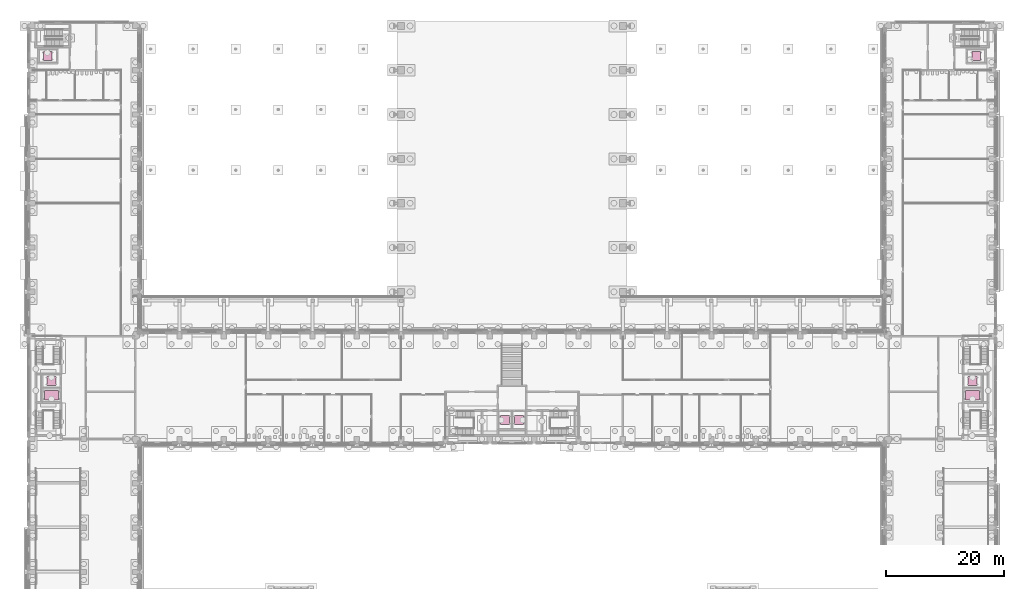
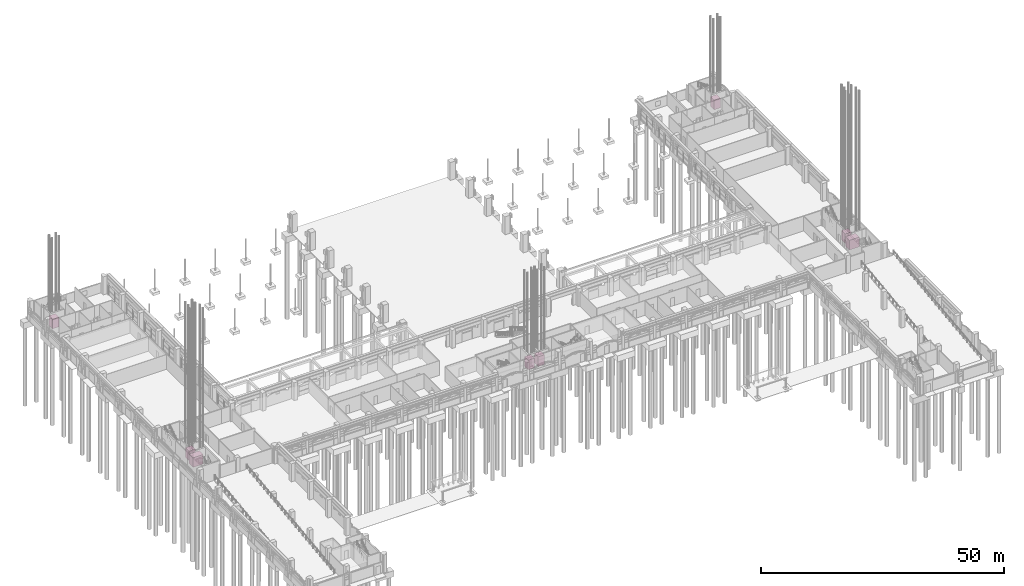
# One storey, part 99 of 99: 8 transport elements.
"""IFC4 building model written with IfcOpenShell, lengths in metres."""

from ifc_helpers import new_model, si_unit, direction, frame, origin, origin_2d, place, context, subcontext, project, spatial, rectangle, extrude, material, type_object, element, save


model = new_model("IFC4")

# Units and contexts
model_context = context("Model", 3, precision=1e-05, world=origin(), true_north=direction((0.0, 1.0)))
body_context = subcontext(model_context, "Body", "Model", "MODEL_VIEW")
ifc_project = project(units=[si_unit("LENGTHUNIT", "METRE"), si_unit("AREAUNIT", "SQUARE_METRE"), si_unit("VOLUMEUNIT", "CUBIC_METRE"), si_unit("PLANEANGLEUNIT", "RADIAN"), si_unit("MASSUNIT", "GRAM", prefix="KILO")], contexts=[model_context])

# Site, building, storey
site_placement = place(None, origin())
site = spatial("IfcSite", under=ifc_project, at=site_placement, CompositionType="ELEMENT")
building_placement = place(site_placement, origin())
building = spatial("IfcBuilding", under=site, at=building_placement, Name="Cour d'Honneur Mobility Palace", CompositionType="ELEMENT")
storey_placement = place(building_placement, origin())
storey = spatial("IfcBuildingStorey", under=building, at=storey_placement, Name="L00", CompositionType="ELEMENT", Elevation=0.0)

# Transport elements
ifc_material_1 = material(Name="Stainless steel", Category="steel")
transport_element_type_1 = type_object("IfcTransportElementType", Name="Lift 1.5 x 1.5", PredefinedType="ELEVATOR", material=ifc_material_1)
for number, where, z_axis, x_axis, name in (
    (1, (3.22509765625, 54.800048828125, 0.050048828125), (0.0, 0.0, 1.0), (1.0, 0.0, 0.0), "Lift LF-CW2"),
    (2, (159.074951171875, 54.800048828125, 0.050048828125), (0.0, 0.0, 1.0), (1.0, 0.0, 0.0), "Lift LF-CE2"),
    (3, (79.949951171875, 48.199951171875, 0.050048828125), (0.0, 0.0, 1.0), (1.0, 0.0, 0.0), "Lift LF-CC1"),
    (4, (82.35009765625, 48.199951171875, 0.050048828125), (0.0, 0.0, 1.0), (1.0, 0.0, 0.0), "Lift LF-CC2"),
):
    element("IfcTransportElement", number, at=place(storey_placement, frame(where, z_axis=z_axis, x_axis=x_axis)), inside=storey, type_object=transport_element_type_1, Name=name, PredefinedType="ELEVATOR", context=body_context, shape_type="SweptSolid", body=[
        extrude(rectangle(XDim=1.5, YDim=1.5, at=origin_2d()), origin(), (0.0, 0.0, 1.0), 2.39990234375),
    ])
ifc_material_2 = material(Name="Stainless steel", Category="steel")
transport_element_type_2 = type_object("IfcTransportElementType", Name="Lift 1.6 x 2.4", PredefinedType="ELEVATOR", material=ifc_material_2)
for number, where, z_axis, x_axis, name in (
    (5, (3.22509765625, 52.39990234375, 0.050048828125), (0.0, 0.0, 1.0), (1.0, 0.0, 0.0), "Lift LF-CW1"),
    (6, (159.074951171875, 52.39990234375, 0.050048828125), (0.0, 0.0, 1.0), (1.0, 0.0, 0.0), "Lift LF-CE1"),
):
    element("IfcTransportElement", number, at=place(storey_placement, frame(where, z_axis=z_axis, x_axis=x_axis)), inside=storey, type_object=transport_element_type_2, Name=name, PredefinedType="ELEVATOR", context=body_context, shape_type="SweptSolid", body=[
        extrude(rectangle(XDim=2.39990234375, YDim=1.60009765625, at=origin_2d()), origin(), (0.0, 0.0, 1.0), 2.39990234375),
    ])
ifc_material_3 = material(Name="Stainless steel", Category="steel")
transport_element_type_3 = type_object("IfcTransportElementType", Name="Low-rise lift 1.5 x 1.5", PredefinedType="ELEVATOR", material=ifc_material_3)
for number, where, z_axis, x_axis, name in (
    (7, (2.60009765625, 109.800048828125, 0.050048828125), (0.0, 0.0, 1.0), (1.0, 0.0, 0.0), "Low-rise lift LF-NW1"),
    (8, (159.699951171875, 109.800048828125, 0.050048828125), (0.0, 0.0, 1.0), (1.0, 0.0, 0.0), "Low-rise lift LF-NE1"),
):
    element("IfcTransportElement", number, at=place(storey_placement, frame(where, z_axis=z_axis, x_axis=x_axis)), inside=storey, type_object=transport_element_type_3, Name=name, PredefinedType="ELEVATOR", context=body_context, shape_type="SweptSolid", body=[
        extrude(rectangle(XDim=1.5, YDim=1.5, at=origin_2d()), origin(), (0.0, 0.0, 1.0), 2.39990234375),
    ])

save(model, "model.ifc")
